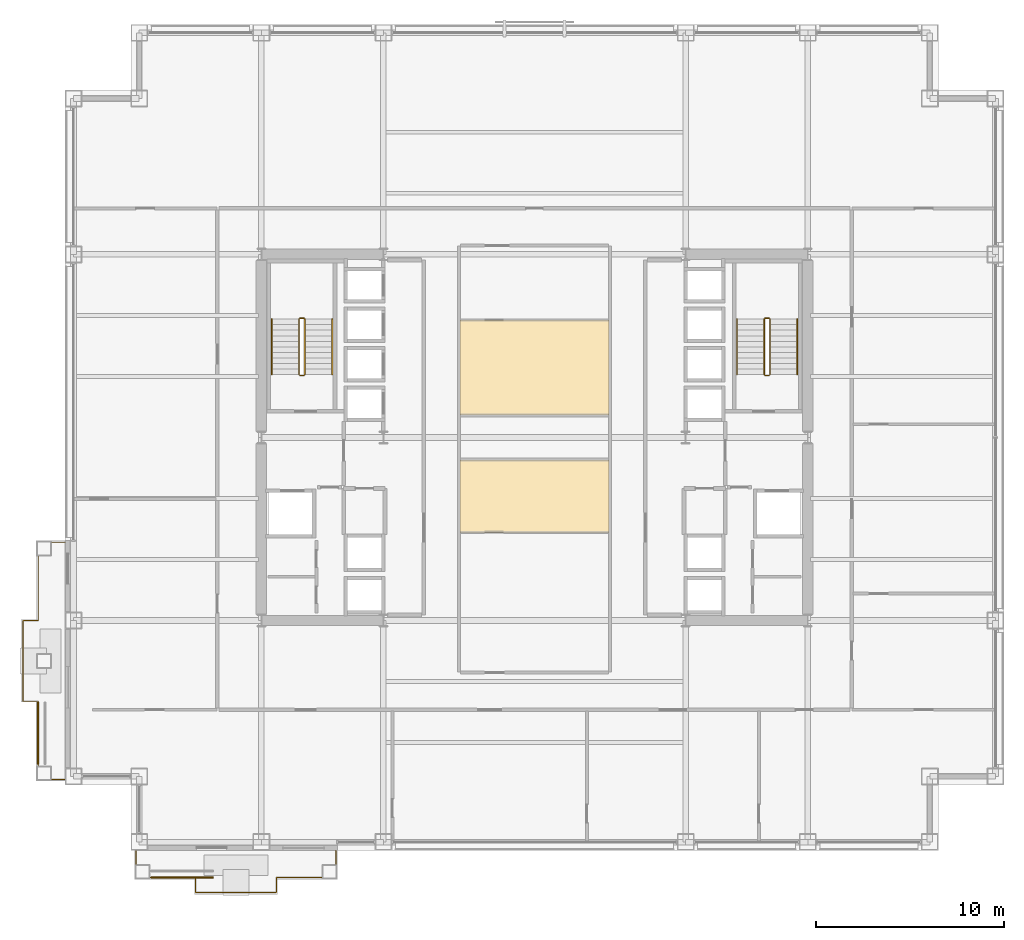
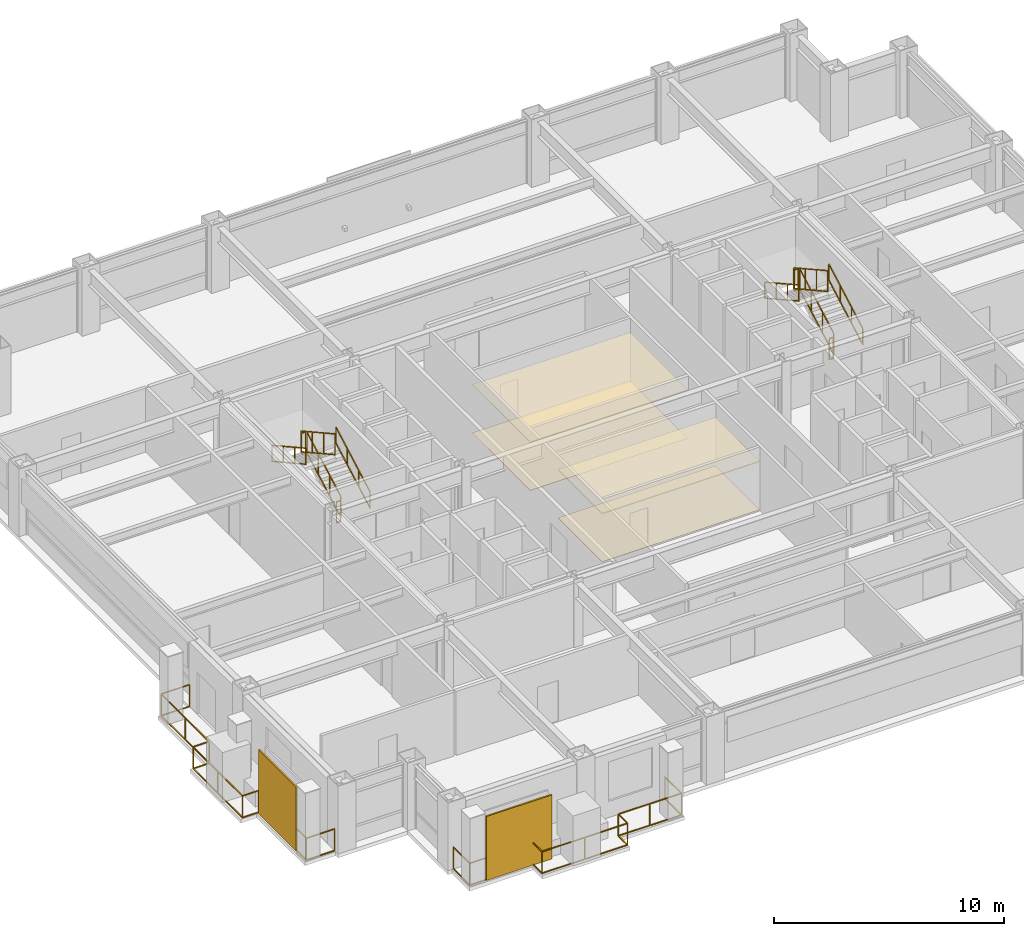
# One storey, part 27 of 29: 14 railings, 4 coverings, 2 shading devices.
"""IFC4 building model written with IfcOpenShell, lengths in metres."""

from ifc_helpers import new_model, si_unit, direction, frame, origin, origin_2d, place, context, subcontext, project, spatial, polyline, rectangle, outline, extrude, material, layer, layer_set, type_object, element, save


model = new_model("IFC4")

# Units and contexts
model_context = context("Model", 3, precision=1e-05, world=origin(), true_north=direction((0.0, 1.0)))
body_context = subcontext(model_context, "Body", "Model", "MODEL_VIEW")
ifc_project = project(units=[si_unit("LENGTHUNIT", "METRE"), si_unit("AREAUNIT", "SQUARE_METRE"), si_unit("VOLUMEUNIT", "CUBIC_METRE"), si_unit("PLANEANGLEUNIT", "RADIAN"), si_unit("MASSUNIT", "GRAM", prefix="KILO")], contexts=[model_context])

# Site, building, storey
site_placement = place(None, origin())
site = spatial("IfcSite", under=ifc_project, at=site_placement, CompositionType="ELEMENT")
building_placement = place(site_placement, origin())
building = spatial("IfcBuilding", under=site, at=building_placement, Name="Brelmoor Portico Tower", CompositionType="ELEMENT")
storey_placement = place(building_placement, frame((0.0, 0.0, 63.60009765625)))
storey = spatial("IfcBuildingStorey", under=building, at=storey_placement, Name="L16", CompositionType="ELEMENT", Elevation=63.60009765625)

# Coverings
ifc_material_1 = material(Name="Powder-Coated Aluminium Acoustic Baffle Ceiling", Category="aluminium")
ifc_layer_1 = layer(ifc_material_1, 0.044921875)
ifc_layer_set_1 = layer_set([ifc_layer_1], Name="Powder-Coated Aluminium Acoustic Baffle Ceiling")
covering_type_1 = type_object("IfcCoveringType", Name="CV-CEIL-BAFFLE-45", PredefinedType="CEILING", material=ifc_layer_set_1)
covering_1_placement = place(storey_placement, frame((0.0, 0.0, 2.5498046875)))
element("IfcCovering", 1, at=covering_1_placement, inside=storey, type_object=covering_type_1, Name="L16 Acoustic Suspended Ceiling 01", PredefinedType="CEILING", context=body_context, shape_type="SweptSolid", body=[
    extrude(outline(polyline([(-3.9599609375, 1.199951171875), (-3.9599609375, 6.260009765625), (3.9599609375, 6.260009765625), (3.9599609375, 1.199951171875), (-3.9599609375, 1.199951171875)])), origin(), (0.0, 0.0, 1.0), 0.045166015625),
])
ifc_material_2 = material(Name="Slatted FSC Oak Acoustic Feature Ceiling", Category="timber")
ifc_layer_2 = layer(ifc_material_2, 0.052001953125)
ifc_layer_set_2 = layer_set([ifc_layer_2], Name="Slatted FSC Oak Acoustic Feature Ceiling")
covering_type_2 = type_object("IfcCoveringType", Name="CV-CEIL-TIMBER-52", PredefinedType="CEILING", material=ifc_layer_set_2)
covering_2_placement = place(storey_placement, frame((0.0, 0.0, 2.5498046875)))
element("IfcCovering", 2, at=covering_2_placement, inside=storey, type_object=covering_type_2, Name="L16 Acoustic Suspended Ceiling 02", PredefinedType="CEILING", context=body_context, shape_type="SweptSolid", body=[
    extrude(outline(polyline([(-3.9599609375, -5.06005859375), (-3.9599609375, -1.199951171875), (3.9599609375, -1.199951171875), (3.9599609375, -5.06005859375), (-3.9599609375, -5.06005859375)])), origin(), (0.0, 0.0, 1.0), 0.052001953125),
])
ifc_material_3 = material(Name="Rectified Vitrified Porcelain Floor Tile", Category="ceramic")
ifc_layer_3 = layer(ifc_material_3, 0.01806640625)
ifc_layer_set_3 = layer_set([ifc_layer_3], Name="Rectified Vitrified Porcelain Floor Tile")
covering_type_3 = type_object("IfcCoveringType", Name="CV-FLR-PORCELAIN-18", PredefinedType="FLOORING", material=ifc_layer_set_3)
covering_3_placement = place(storey_placement, origin())
element("IfcCovering", 3, at=covering_3_placement, inside=storey, type_object=covering_type_3, Name="L16 Architectural Floor Finish 01", PredefinedType="FLOORING", context=body_context, shape_type="SweptSolid", body=[
    extrude(outline(polyline([(-3.9599609375, 1.199951171875), (-3.9599609375, 6.260009765625), (3.9599609375, 6.260009765625), (3.9599609375, 1.199951171875), (-3.9599609375, 1.199951171875)])), origin(), (0.0, 0.0, 1.0), 0.017822265625),
])
ifc_material_4 = material(Name="Engineered Quarter-Sawn Oak Parquet Flooring", Category="timber")
ifc_layer_4 = layer(ifc_material_4, 0.02197265625)
ifc_layer_set_4 = layer_set([ifc_layer_4], Name="Engineered Quarter-Sawn Oak Parquet Flooring")
covering_type_4 = type_object("IfcCoveringType", Name="CV-FLR-TIMBER-22", PredefinedType="FLOORING", material=ifc_layer_set_4)
covering_4_placement = place(storey_placement, origin())
element("IfcCovering", 4, at=covering_4_placement, inside=storey, type_object=covering_type_4, Name="L16 Architectural Floor Finish 02", PredefinedType="FLOORING", context=body_context, shape_type="SweptSolid", body=[
    extrude(outline(polyline([(-3.9599609375, -5.06005859375), (-3.9599609375, -1.199951171875), (3.9599609375, -1.199951171875), (3.9599609375, -5.06005859375), (-3.9599609375, -5.06005859375)])), origin(), (0.0, 0.0, 1.0), 0.02197265625),
])

# Railings
ifc_material_5 = material(Name="Perforated Pale Champagne Aluminium Fretwork Guard", Category="aluminium")
railing_type_1 = type_object("IfcRailingType", Name="RL-BALUSTRADE-1200", PredefinedType="BALUSTRADE", material=ifc_material_5)
railing_1_placement = place(storey_placement, frame((-21.219970703125, -22.0, 0.0)))
element("IfcRailing", 5, at=railing_1_placement, inside=storey, type_object=railing_type_1, Name="L16 Tree Balcony Fretwork Balustrade S", PredefinedType="BALUSTRADE", context=body_context, shape_type="SweptSolid", body=[
    extrude(rectangle(XDim=0.048095703125, YDim=0.048095703125, at=origin_2d()), frame((0.0, 0.0, 1.17578125), z_axis=(0.0, -1.0, 0.0), x_axis=(1.0, 0.0, 0.0)), (0.0, 0.0, 1.0), 1.429931640625),
    extrude(rectangle(XDim=0.048095703125, YDim=0.048095703125, at=origin_2d()), frame((0.0, 0.0, 0.02392578125), z_axis=(0.0, -1.0, 0.0), x_axis=(1.0, 0.0, 0.0)), (0.0, 0.0, 1.0), 1.429931640625),
    extrude(rectangle(XDim=0.048095703125, YDim=0.048095703125, at=origin_2d()), frame((0.0, -1.429931640625, 1.17578125), z_axis=(1.0, 0.0, 0.0), x_axis=(0.0, 1.0, 0.0)), (0.0, 0.0, 1.0), 3.169921875),
    extrude(rectangle(XDim=0.048095703125, YDim=0.048095703125, at=origin_2d()), frame((0.0, -1.429931640625, 0.02392578125), z_axis=(1.0, 0.0, 0.0), x_axis=(0.0, 1.0, 0.0)), (0.0, 0.0, 1.0), 3.169921875),
    extrude(rectangle(XDim=0.048095703125, YDim=0.048095703125, at=origin_2d()), frame((3.169921875, -1.429931640625, 1.17578125), z_axis=(0.0, -1.0, 0.0), x_axis=(1.0, 0.0, 0.0)), (0.0, 0.0, 1.0), 0.800048828125),
    extrude(rectangle(XDim=0.048095703125, YDim=0.048095703125, at=origin_2d()), frame((3.169921875, -1.429931640625, 0.02392578125), z_axis=(0.0, -1.0, 0.0), x_axis=(1.0, 0.0, 0.0)), (0.0, 0.0, 1.0), 0.800048828125),
    extrude(rectangle(XDim=0.048095703125, YDim=0.048095703125, at=origin_2d()), frame((3.169921875, -2.22998046875, 1.17578125), z_axis=(1.0, 0.0, 0.0), x_axis=(0.0, 1.0, 0.0)), (0.0, 0.0, 1.0), 4.300048828125),
    extrude(rectangle(XDim=0.048095703125, YDim=0.048095703125, at=origin_2d()), frame((3.169921875, -2.22998046875, 0.02392578125), z_axis=(1.0, 0.0, 0.0), x_axis=(0.0, 1.0, 0.0)), (0.0, 0.0, 1.0), 4.300048828125),
    extrude(rectangle(XDim=0.048095703125, YDim=0.048095703125, at=origin_2d()), frame((7.469970703125, -2.22998046875, 1.17578125), z_axis=(0.0, 1.0, 0.0), x_axis=(-1.0, 0.0, 0.0)), (0.0, 0.0, 1.0), 0.800048828125),
    extrude(rectangle(XDim=0.048095703125, YDim=0.048095703125, at=origin_2d()), frame((7.469970703125, -2.22998046875, 0.02392578125), z_axis=(0.0, 1.0, 0.0), x_axis=(-1.0, 0.0, 0.0)), (0.0, 0.0, 1.0), 0.800048828125),
    extrude(rectangle(XDim=0.048095703125, YDim=0.048095703125, at=origin_2d()), frame((7.469970703125, -1.429931640625, 1.17578125), z_axis=(1.0, 0.0, 0.0), x_axis=(0.0, 1.0, 0.0)), (0.0, 0.0, 1.0), 3.169921875),
    extrude(rectangle(XDim=0.048095703125, YDim=0.048095703125, at=origin_2d()), frame((7.469970703125, -1.429931640625, 0.02392578125), z_axis=(1.0, 0.0, 0.0), x_axis=(0.0, 1.0, 0.0)), (0.0, 0.0, 1.0), 3.169921875),
    extrude(rectangle(XDim=0.048095703125, YDim=0.048095703125, at=origin_2d()), frame((10.639892578125, -1.429931640625, 1.17578125), z_axis=(0.0, 1.0, 0.0), x_axis=(-1.0, 0.0, 0.0)), (0.0, 0.0, 1.0), 1.429931640625),
    extrude(rectangle(XDim=0.048095703125, YDim=0.048095703125, at=origin_2d()), frame((10.639892578125, -1.429931640625, 0.02392578125), z_axis=(0.0, 1.0, 0.0), x_axis=(-1.0, 0.0, 0.0)), (0.0, 0.0, 1.0), 1.429931640625),
    extrude(rectangle(XDim=0.0419921875, YDim=0.0419921875, at=origin_2d()), origin(), (0.0, 0.0, 1.0), 1.15185546875),
    extrude(rectangle(XDim=0.0419921875, YDim=0.0419921875, at=origin_2d()), frame((0.0, -1.429931640625, 0.0)), (0.0, 0.0, 1.0), 1.15185546875),
    extrude(rectangle(XDim=0.0419921875, YDim=0.0419921875, at=origin_2d()), frame((1.5849609375, -1.429931640625, 0.0)), (0.0, 0.0, 1.0), 1.15185546875),
    extrude(rectangle(XDim=0.0419921875, YDim=0.0419921875, at=origin_2d()), frame((3.169921875, -1.429931640625, 0.0)), (0.0, 0.0, 1.0), 1.15185546875),
    extrude(rectangle(XDim=0.0419921875, YDim=0.0419921875, at=origin_2d()), frame((3.169921875, -2.22998046875, 0.0)), (0.0, 0.0, 1.0), 1.15185546875),
    extrude(rectangle(XDim=0.0419921875, YDim=0.0419921875, at=origin_2d()), frame((5.31982421875, -2.22998046875, 0.0)), (0.0, 0.0, 1.0), 1.15185546875),
    extrude(rectangle(XDim=0.0419921875, YDim=0.0419921875, at=origin_2d()), frame((7.469970703125, -2.22998046875, 0.0)), (0.0, 0.0, 1.0), 1.15185546875),
    extrude(rectangle(XDim=0.0419921875, YDim=0.0419921875, at=origin_2d()), frame((7.469970703125, -1.429931640625, 0.0)), (0.0, 0.0, 1.0), 1.15185546875),
    extrude(rectangle(XDim=0.0419921875, YDim=0.0419921875, at=origin_2d()), frame((9.054931640625, -1.429931640625, 0.0)), (0.0, 0.0, 1.0), 1.15185546875),
    extrude(rectangle(XDim=0.0419921875, YDim=0.0419921875, at=origin_2d()), frame((10.639892578125, -1.429931640625, 0.0)), (0.0, 0.0, 1.0), 1.15185546875),
    extrude(rectangle(XDim=0.0419921875, YDim=0.0419921875, at=origin_2d()), frame((10.639892578125, 0.0, 0.0)), (0.0, 0.0, 1.0), 1.15185546875),
])
railing_2_placement = place(storey_placement, frame((-25.0, -18.219970703125, 0.0)))
element("IfcRailing", 6, at=railing_2_placement, inside=storey, type_object=railing_type_1, Name="L16 Tree Balcony Fretwork Balustrade W", PredefinedType="BALUSTRADE", context=body_context, shape_type="SweptSolid", body=[
    extrude(rectangle(XDim=0.048095703125, YDim=0.048095703125, at=origin_2d()), frame((0.0, 0.0, 1.17578125), z_axis=(-1.0, 0.0, 0.0), x_axis=(0.0, -1.0, 0.0)), (0.0, 0.0, 1.0), 1.429931640625),
    extrude(rectangle(XDim=0.048095703125, YDim=0.048095703125, at=origin_2d()), frame((0.0, 0.0, 0.02392578125), z_axis=(-1.0, 0.0, 0.0), x_axis=(0.0, -1.0, 0.0)), (0.0, 0.0, 1.0), 1.429931640625),
    extrude(rectangle(XDim=0.048095703125, YDim=0.048095703125, at=origin_2d()), frame((-1.429931640625, 0.0, 1.17578125), z_axis=(0.0, 1.0, 0.0), x_axis=(-1.0, 0.0, 0.0)), (0.0, 0.0, 1.0), 4.169921875),
    extrude(rectangle(XDim=0.048095703125, YDim=0.048095703125, at=origin_2d()), frame((-1.429931640625, 0.0, 0.02392578125), z_axis=(0.0, 1.0, 0.0), x_axis=(-1.0, 0.0, 0.0)), (0.0, 0.0, 1.0), 4.169921875),
    extrude(rectangle(XDim=0.048095703125, YDim=0.048095703125, at=origin_2d()), frame((-1.429931640625, 4.169921875, 1.17578125), z_axis=(-1.0, 0.0, 0.0), x_axis=(0.0, -1.0, 0.0)), (0.0, 0.0, 1.0), 0.800048828125),
    extrude(rectangle(XDim=0.048095703125, YDim=0.048095703125, at=origin_2d()), frame((-1.429931640625, 4.169921875, 0.02392578125), z_axis=(-1.0, 0.0, 0.0), x_axis=(0.0, -1.0, 0.0)), (0.0, 0.0, 1.0), 0.800048828125),
    extrude(rectangle(XDim=0.048095703125, YDim=0.048095703125, at=origin_2d()), frame((-2.22998046875, 4.169921875, 1.17578125), z_axis=(0.0, 1.0, 0.0), x_axis=(-1.0, 0.0, 0.0)), (0.0, 0.0, 1.0), 4.300048828125),
    extrude(rectangle(XDim=0.048095703125, YDim=0.048095703125, at=origin_2d()), frame((-2.22998046875, 4.169921875, 0.02392578125), z_axis=(0.0, 1.0, 0.0), x_axis=(-1.0, 0.0, 0.0)), (0.0, 0.0, 1.0), 4.300048828125),
    extrude(rectangle(XDim=0.048095703125, YDim=0.048095703125, at=origin_2d()), frame((-2.22998046875, 8.469970703125, 1.17578125), z_axis=(1.0, 0.0, 0.0), x_axis=(0.0, 1.0, 0.0)), (0.0, 0.0, 1.0), 0.800048828125),
    extrude(rectangle(XDim=0.048095703125, YDim=0.048095703125, at=origin_2d()), frame((-2.22998046875, 8.469970703125, 0.02392578125), z_axis=(1.0, 0.0, 0.0), x_axis=(0.0, 1.0, 0.0)), (0.0, 0.0, 1.0), 0.800048828125),
    extrude(rectangle(XDim=0.048095703125, YDim=0.048095703125, at=origin_2d()), frame((-1.429931640625, 8.469970703125, 1.17578125), z_axis=(0.0, 1.0, 0.0), x_axis=(-1.0, 0.0, 0.0)), (0.0, 0.0, 1.0), 4.169921875),
    extrude(rectangle(XDim=0.048095703125, YDim=0.048095703125, at=origin_2d()), frame((-1.429931640625, 8.469970703125, 0.02392578125), z_axis=(0.0, 1.0, 0.0), x_axis=(-1.0, 0.0, 0.0)), (0.0, 0.0, 1.0), 4.169921875),
    extrude(rectangle(XDim=0.048095703125, YDim=0.048095703125, at=origin_2d()), frame((-1.429931640625, 12.639892578125, 1.17578125), z_axis=(1.0, 0.0, 0.0), x_axis=(0.0, 1.0, 0.0)), (0.0, 0.0, 1.0), 1.429931640625),
    extrude(rectangle(XDim=0.048095703125, YDim=0.048095703125, at=origin_2d()), frame((-1.429931640625, 12.639892578125, 0.02392578125), z_axis=(1.0, 0.0, 0.0), x_axis=(0.0, 1.0, 0.0)), (0.0, 0.0, 1.0), 1.429931640625),
    extrude(rectangle(XDim=0.0419921875, YDim=0.0419921875, at=origin_2d()), origin(), (0.0, 0.0, 1.0), 1.15185546875),
    extrude(rectangle(XDim=0.0419921875, YDim=0.0419921875, at=origin_2d()), frame((-1.429931640625, 0.0, 0.0)), (0.0, 0.0, 1.0), 1.15185546875),
    extrude(rectangle(XDim=0.0419921875, YDim=0.0419921875, at=origin_2d()), frame((-1.429931640625, 2.0849609375, 0.0)), (0.0, 0.0, 1.0), 1.15185546875),
    extrude(rectangle(XDim=0.0419921875, YDim=0.0419921875, at=origin_2d()), frame((-1.429931640625, 4.169921875, 0.0)), (0.0, 0.0, 1.0), 1.15185546875),
    extrude(rectangle(XDim=0.0419921875, YDim=0.0419921875, at=origin_2d()), frame((-2.22998046875, 4.169921875, 0.0)), (0.0, 0.0, 1.0), 1.15185546875),
    extrude(rectangle(XDim=0.0419921875, YDim=0.0419921875, at=origin_2d()), frame((-2.22998046875, 6.31982421875, 0.0)), (0.0, 0.0, 1.0), 1.15185546875),
    extrude(rectangle(XDim=0.0419921875, YDim=0.0419921875, at=origin_2d()), frame((-2.22998046875, 8.469970703125, 0.0)), (0.0, 0.0, 1.0), 1.15185546875),
    extrude(rectangle(XDim=0.0419921875, YDim=0.0419921875, at=origin_2d()), frame((-1.429931640625, 8.469970703125, 0.0)), (0.0, 0.0, 1.0), 1.15185546875),
    extrude(rectangle(XDim=0.0419921875, YDim=0.0419921875, at=origin_2d()), frame((-1.429931640625, 10.554931640625, 0.0)), (0.0, 0.0, 1.0), 1.15185546875),
    extrude(rectangle(XDim=0.0419921875, YDim=0.0419921875, at=origin_2d()), frame((-1.429931640625, 12.639892578125, 0.0)), (0.0, 0.0, 1.0), 1.15185546875),
    extrude(rectangle(XDim=0.0419921875, YDim=0.0419921875, at=origin_2d()), frame((0.0, 12.639892578125, 0.0)), (0.0, 0.0, 1.0), 1.15185546875),
])
ifc_material_6 = material(Name="Painted Tubular Steel Q235B", Category="steel")
railing_type_2 = type_object("IfcRailingType", Name="RL-STAIR-GUARD", PredefinedType="GUARDRAIL", material=ifc_material_6)
railing_3_placement = place(storey_placement, frame((-12.239990234375, 3.35009765625, 0.16357421875)))
element("IfcRailing", 7, at=railing_3_placement, inside=storey, type_object=railing_type_2, Name="L16 ST-W stair guard 1", PredefinedType="GUARDRAIL", context=body_context, shape_type="SweptSolid", body=[
    extrude(rectangle(XDim=0.048095703125, YDim=0.048095703125, at=origin_2d()), frame((0.0, 0.0, 1.1259765625), z_axis=(0.0, 0.87448821551, 0.485046761595), x_axis=(-1.0, 0.0, 0.0)), (0.0, 0.0, 1.0), 3.373291015625),
    extrude(rectangle(XDim=0.048095703125, YDim=0.048095703125, at=origin_2d()), frame((0.0, 0.0, 0.02392578125), z_axis=(0.0, 0.87448821551, 0.485046761595), x_axis=(-1.0, 0.0, 0.0)), (0.0, 0.0, 1.0), 3.373291015625),
    extrude(rectangle(XDim=0.0419921875, YDim=0.0419921875, at=origin_2d()), origin(), (0.0, 0.0, 1.0), 1.101806640625),
    extrude(rectangle(XDim=0.0419921875, YDim=0.0419921875, at=origin_2d()), frame((0.0, 0.9833984375, 0.54541015625)), (0.0, 0.0, 1.0), 1.101806640625),
    extrude(rectangle(XDim=0.0419921875, YDim=0.0419921875, at=origin_2d()), frame((0.0, 1.966552734375, 1.0908203125)), (0.0, 0.0, 1.0), 1.101806640625),
    extrude(rectangle(XDim=0.0419921875, YDim=0.0419921875, at=origin_2d()), frame((0.0, 2.949951171875, 1.63623046875)), (0.0, 0.0, 1.0), 1.101806640625),
])
railing_4_placement = place(storey_placement, frame((-12.2900390625, 6.35009765625, 1.7998046875)))
element("IfcRailing", 8, at=railing_4_placement, inside=storey, type_object=railing_type_2, Name="L16 ST-W stair guard 2", PredefinedType="GUARDRAIL", context=body_context, shape_type="SweptSolid", body=[
    extrude(rectangle(XDim=0.048095703125, YDim=0.048095703125, at=origin_2d()), frame((0.0, 0.0, 1.1259765625), z_axis=(-1.0, 0.0, 0.0), x_axis=(0.0, -1.0, 0.0)), (0.0, 0.0, 1.0), 0.199951171875),
    extrude(rectangle(XDim=0.048095703125, YDim=0.048095703125, at=origin_2d()), frame((0.0, 0.0, 0.02392578125), z_axis=(-1.0, 0.0, 0.0), x_axis=(0.0, -1.0, 0.0)), (0.0, 0.0, 1.0), 0.199951171875),
    extrude(rectangle(XDim=0.0419921875, YDim=0.0419921875, at=origin_2d()), origin(), (0.0, 0.0, 1.0), 1.101806640625),
    extrude(rectangle(XDim=0.0419921875, YDim=0.0419921875, at=origin_2d()), frame((-0.199951171875, 0.0, 0.0)), (0.0, 0.0, 1.0), 1.101806640625),
])
railing_5_placement = place(storey_placement, frame((-12.5400390625, 6.300048828125, 1.963623046875)))
element("IfcRailing", 9, at=railing_5_placement, inside=storey, type_object=railing_type_2, Name="L16 ST-W stair guard 3", PredefinedType="GUARDRAIL", context=body_context, shape_type="SweptSolid", body=[
    extrude(rectangle(XDim=0.048095703125, YDim=0.048095703125, at=origin_2d()), frame((0.0, 0.0, 1.1259765625), z_axis=(0.0, -0.87448821551, 0.485046761595), x_axis=(1.0, 0.0, 0.0)), (0.0, 0.0, 1.0), 3.373291015625),
    extrude(rectangle(XDim=0.048095703125, YDim=0.048095703125, at=origin_2d()), frame((0.0, 0.0, 0.02392578125), z_axis=(0.0, -0.87448821551, 0.485046761595), x_axis=(1.0, 0.0, 0.0)), (0.0, 0.0, 1.0), 3.373291015625),
    extrude(rectangle(XDim=0.0419921875, YDim=0.0419921875, at=origin_2d()), origin(), (0.0, 0.0, 1.0), 1.101806640625),
    extrude(rectangle(XDim=0.0419921875, YDim=0.0419921875, at=origin_2d()), frame((0.0, -0.9833984375, 0.54541015625)), (0.0, 0.0, 1.0), 1.101806640625),
    extrude(rectangle(XDim=0.0419921875, YDim=0.0419921875, at=origin_2d()), frame((0.0, -1.966552734375, 1.0908203125)), (0.0, 0.0, 1.0), 1.101806640625),
    extrude(rectangle(XDim=0.0419921875, YDim=0.0419921875, at=origin_2d()), frame((0.0, -2.949951171875, 1.63623046875)), (0.0, 0.0, 1.0), 1.101806640625),
])
railing_6_placement = place(storey_placement, frame((-12.2900390625, 3.300048828125, 0.0)))
element("IfcRailing", 10, at=railing_6_placement, inside=storey, type_object=railing_type_2, Name="L16 ST-W stair guard 4", PredefinedType="GUARDRAIL", context=body_context, shape_type="SweptSolid", body=[
    extrude(rectangle(XDim=0.048095703125, YDim=0.048095703125, at=origin_2d()), frame((0.0, 0.0, 1.1259765625), z_axis=(-1.0, 0.0, 0.0), x_axis=(0.0, -1.0, 0.0)), (0.0, 0.0, 1.0), 0.199951171875),
    extrude(rectangle(XDim=0.048095703125, YDim=0.048095703125, at=origin_2d()), frame((0.0, 0.0, 0.02392578125), z_axis=(-1.0, 0.0, 0.0), x_axis=(0.0, -1.0, 0.0)), (0.0, 0.0, 1.0), 0.199951171875),
    extrude(rectangle(XDim=0.0419921875, YDim=0.0419921875, at=origin_2d()), origin(), (0.0, 0.0, 1.0), 1.101806640625),
    extrude(rectangle(XDim=0.0419921875, YDim=0.0419921875, at=origin_2d()), frame((-0.199951171875, 0.0, 0.0)), (0.0, 0.0, 1.0), 1.101806640625),
])
railing_7_placement = place(storey_placement, frame((12.5400390625, 3.35009765625, 0.16357421875)))
element("IfcRailing", 11, at=railing_7_placement, inside=storey, type_object=railing_type_2, Name="L16 ST-E stair guard 1", PredefinedType="GUARDRAIL", context=body_context, shape_type="SweptSolid", body=[
    extrude(rectangle(XDim=0.048095703125, YDim=0.048095703125, at=origin_2d()), frame((0.0, 0.0, 1.1259765625), z_axis=(0.0, 0.87448821551, 0.485046761595), x_axis=(-1.0, 0.0, 0.0)), (0.0, 0.0, 1.0), 3.373291015625),
    extrude(rectangle(XDim=0.048095703125, YDim=0.048095703125, at=origin_2d()), frame((0.0, 0.0, 0.02392578125), z_axis=(0.0, 0.87448821551, 0.485046761595), x_axis=(-1.0, 0.0, 0.0)), (0.0, 0.0, 1.0), 3.373291015625),
    extrude(rectangle(XDim=0.0419921875, YDim=0.0419921875, at=origin_2d()), origin(), (0.0, 0.0, 1.0), 1.101806640625),
    extrude(rectangle(XDim=0.0419921875, YDim=0.0419921875, at=origin_2d()), frame((0.0, 0.9833984375, 0.54541015625)), (0.0, 0.0, 1.0), 1.101806640625),
    extrude(rectangle(XDim=0.0419921875, YDim=0.0419921875, at=origin_2d()), frame((0.0, 1.966552734375, 1.0908203125)), (0.0, 0.0, 1.0), 1.101806640625),
    extrude(rectangle(XDim=0.0419921875, YDim=0.0419921875, at=origin_2d()), frame((0.0, 2.949951171875, 1.63623046875)), (0.0, 0.0, 1.0), 1.101806640625),
])
railing_8_placement = place(storey_placement, frame((12.489990234375, 6.35009765625, 1.7998046875)))
element("IfcRailing", 12, at=railing_8_placement, inside=storey, type_object=railing_type_2, Name="L16 ST-E stair guard 2", PredefinedType="GUARDRAIL", context=body_context, shape_type="SweptSolid", body=[
    extrude(rectangle(XDim=0.048095703125, YDim=0.048095703125, at=origin_2d()), frame((0.0, 0.0, 1.1259765625), z_axis=(-1.0, 0.0, 0.0), x_axis=(0.0, -1.0, 0.0)), (0.0, 0.0, 1.0), 0.199951171875),
    extrude(rectangle(XDim=0.048095703125, YDim=0.048095703125, at=origin_2d()), frame((0.0, 0.0, 0.02392578125), z_axis=(-1.0, 0.0, 0.0), x_axis=(0.0, -1.0, 0.0)), (0.0, 0.0, 1.0), 0.199951171875),
    extrude(rectangle(XDim=0.0419921875, YDim=0.0419921875, at=origin_2d()), origin(), (0.0, 0.0, 1.0), 1.101806640625),
    extrude(rectangle(XDim=0.0419921875, YDim=0.0419921875, at=origin_2d()), frame((-0.199951171875, 0.0, 0.0)), (0.0, 0.0, 1.0), 1.101806640625),
])
railing_9_placement = place(storey_placement, frame((12.239990234375, 6.300048828125, 1.963623046875)))
element("IfcRailing", 13, at=railing_9_placement, inside=storey, type_object=railing_type_2, Name="L16 ST-E stair guard 3", PredefinedType="GUARDRAIL", context=body_context, shape_type="SweptSolid", body=[
    extrude(rectangle(XDim=0.048095703125, YDim=0.048095703125, at=origin_2d()), frame((0.0, 0.0, 1.1259765625), z_axis=(0.0, -0.87448821551, 0.485046761595), x_axis=(1.0, 0.0, 0.0)), (0.0, 0.0, 1.0), 3.373291015625),
    extrude(rectangle(XDim=0.048095703125, YDim=0.048095703125, at=origin_2d()), frame((0.0, 0.0, 0.02392578125), z_axis=(0.0, -0.87448821551, 0.485046761595), x_axis=(1.0, 0.0, 0.0)), (0.0, 0.0, 1.0), 3.373291015625),
    extrude(rectangle(XDim=0.0419921875, YDim=0.0419921875, at=origin_2d()), origin(), (0.0, 0.0, 1.0), 1.101806640625),
    extrude(rectangle(XDim=0.0419921875, YDim=0.0419921875, at=origin_2d()), frame((0.0, -0.9833984375, 0.54541015625)), (0.0, 0.0, 1.0), 1.101806640625),
    extrude(rectangle(XDim=0.0419921875, YDim=0.0419921875, at=origin_2d()), frame((0.0, -1.966552734375, 1.0908203125)), (0.0, 0.0, 1.0), 1.101806640625),
    extrude(rectangle(XDim=0.0419921875, YDim=0.0419921875, at=origin_2d()), frame((0.0, -2.949951171875, 1.63623046875)), (0.0, 0.0, 1.0), 1.101806640625),
])
railing_10_placement = place(storey_placement, frame((12.489990234375, 3.300048828125, 0.0)))
element("IfcRailing", 14, at=railing_10_placement, inside=storey, type_object=railing_type_2, Name="L16 ST-E stair guard 4", PredefinedType="GUARDRAIL", context=body_context, shape_type="SweptSolid", body=[
    extrude(rectangle(XDim=0.048095703125, YDim=0.048095703125, at=origin_2d()), frame((0.0, 0.0, 1.1259765625), z_axis=(-1.0, 0.0, 0.0), x_axis=(0.0, -1.0, 0.0)), (0.0, 0.0, 1.0), 0.199951171875),
    extrude(rectangle(XDim=0.048095703125, YDim=0.048095703125, at=origin_2d()), frame((0.0, 0.0, 0.02392578125), z_axis=(-1.0, 0.0, 0.0), x_axis=(0.0, -1.0, 0.0)), (0.0, 0.0, 1.0), 0.199951171875),
    extrude(rectangle(XDim=0.0419921875, YDim=0.0419921875, at=origin_2d()), origin(), (0.0, 0.0, 1.0), 1.101806640625),
    extrude(rectangle(XDim=0.0419921875, YDim=0.0419921875, at=origin_2d()), frame((-0.199951171875, 0.0, 0.0)), (0.0, 0.0, 1.0), 1.101806640625),
])
ifc_material_7 = material(Name="Brushed Stainless Steel 304", Category="steel")
railing_type_3 = type_object("IfcRailingType", Name="RL-STAIR-HANDRAIL", PredefinedType="HANDRAIL", material=ifc_material_7)
railing_11_placement = place(storey_placement, frame((-10.780029296875, 3.35009765625, 0.16357421875)))
element("IfcRailing", 15, at=railing_11_placement, inside=storey, type_object=railing_type_3, Name="L16 ST-W stair handrail 1", PredefinedType="HANDRAIL", context=body_context, shape_type="SweptSolid", body=[
    extrude(rectangle(XDim=0.048095703125, YDim=0.048095703125, at=origin_2d()), frame((0.0, 0.0, 0.8759765625), z_axis=(0.0, 0.87448821551, 0.485046761595), x_axis=(-1.0, 0.0, 0.0)), (0.0, 0.0, 1.0), 3.373291015625),
    extrude(rectangle(XDim=0.048095703125, YDim=0.048095703125, at=origin_2d()), frame((0.0, 0.0, 0.02392578125), z_axis=(0.0, 0.87448821551, 0.485046761595), x_axis=(-1.0, 0.0, 0.0)), (0.0, 0.0, 1.0), 3.373291015625),
    extrude(rectangle(XDim=0.0419921875, YDim=0.0419921875, at=origin_2d()), origin(), (0.0, 0.0, 1.0), 0.851806640625),
    extrude(rectangle(XDim=0.0419921875, YDim=0.0419921875, at=origin_2d()), frame((0.0, 0.9833984375, 0.54541015625)), (0.0, 0.0, 1.0), 0.851806640625),
    extrude(rectangle(XDim=0.0419921875, YDim=0.0419921875, at=origin_2d()), frame((0.0, 1.966552734375, 1.0908203125)), (0.0, 0.0, 1.0), 0.851806640625),
    extrude(rectangle(XDim=0.0419921875, YDim=0.0419921875, at=origin_2d()), frame((0.0, 2.949951171875, 1.63623046875)), (0.0, 0.0, 1.0), 0.851806640625),
])
railing_12_placement = place(storey_placement, frame((-14.0, 6.300048828125, 1.963623046875)))
element("IfcRailing", 16, at=railing_12_placement, inside=storey, type_object=railing_type_3, Name="L16 ST-W stair handrail 2", PredefinedType="HANDRAIL", context=body_context, shape_type="SweptSolid", body=[
    extrude(rectangle(XDim=0.048095703125, YDim=0.048095703125, at=origin_2d()), frame((0.0, 0.0, 0.8759765625), z_axis=(0.0, -0.87448821551, 0.485046761595), x_axis=(1.0, 0.0, 0.0)), (0.0, 0.0, 1.0), 3.373291015625),
    extrude(rectangle(XDim=0.048095703125, YDim=0.048095703125, at=origin_2d()), frame((0.0, 0.0, 0.02392578125), z_axis=(0.0, -0.87448821551, 0.485046761595), x_axis=(1.0, 0.0, 0.0)), (0.0, 0.0, 1.0), 3.373291015625),
    extrude(rectangle(XDim=0.0419921875, YDim=0.0419921875, at=origin_2d()), origin(), (0.0, 0.0, 1.0), 0.851806640625),
    extrude(rectangle(XDim=0.0419921875, YDim=0.0419921875, at=origin_2d()), frame((0.0, -0.9833984375, 0.54541015625)), (0.0, 0.0, 1.0), 0.851806640625),
    extrude(rectangle(XDim=0.0419921875, YDim=0.0419921875, at=origin_2d()), frame((0.0, -1.966552734375, 1.0908203125)), (0.0, 0.0, 1.0), 0.851806640625),
    extrude(rectangle(XDim=0.0419921875, YDim=0.0419921875, at=origin_2d()), frame((0.0, -2.949951171875, 1.63623046875)), (0.0, 0.0, 1.0), 0.851806640625),
])
railing_13_placement = place(storey_placement, frame((14.0, 3.35009765625, 0.16357421875)))
element("IfcRailing", 17, at=railing_13_placement, inside=storey, type_object=railing_type_3, Name="L16 ST-E stair handrail 1", PredefinedType="HANDRAIL", context=body_context, shape_type="SweptSolid", body=[
    extrude(rectangle(XDim=0.048095703125, YDim=0.048095703125, at=origin_2d()), frame((0.0, 0.0, 0.8759765625), z_axis=(0.0, 0.87448821551, 0.485046761595), x_axis=(-1.0, 0.0, 0.0)), (0.0, 0.0, 1.0), 3.373291015625),
    extrude(rectangle(XDim=0.048095703125, YDim=0.048095703125, at=origin_2d()), frame((0.0, 0.0, 0.02392578125), z_axis=(0.0, 0.87448821551, 0.485046761595), x_axis=(-1.0, 0.0, 0.0)), (0.0, 0.0, 1.0), 3.373291015625),
    extrude(rectangle(XDim=0.0419921875, YDim=0.0419921875, at=origin_2d()), origin(), (0.0, 0.0, 1.0), 0.851806640625),
    extrude(rectangle(XDim=0.0419921875, YDim=0.0419921875, at=origin_2d()), frame((0.0, 0.9833984375, 0.54541015625)), (0.0, 0.0, 1.0), 0.851806640625),
    extrude(rectangle(XDim=0.0419921875, YDim=0.0419921875, at=origin_2d()), frame((0.0, 1.966552734375, 1.0908203125)), (0.0, 0.0, 1.0), 0.851806640625),
    extrude(rectangle(XDim=0.0419921875, YDim=0.0419921875, at=origin_2d()), frame((0.0, 2.949951171875, 1.63623046875)), (0.0, 0.0, 1.0), 0.851806640625),
])
railing_14_placement = place(storey_placement, frame((10.780029296875, 6.300048828125, 1.963623046875)))
element("IfcRailing", 18, at=railing_14_placement, inside=storey, type_object=railing_type_3, Name="L16 ST-E stair handrail 2", PredefinedType="HANDRAIL", context=body_context, shape_type="SweptSolid", body=[
    extrude(rectangle(XDim=0.048095703125, YDim=0.048095703125, at=origin_2d()), frame((0.0, 0.0, 0.8759765625), z_axis=(0.0, -0.87448821551, 0.485046761595), x_axis=(1.0, 0.0, 0.0)), (0.0, 0.0, 1.0), 3.373291015625),
    extrude(rectangle(XDim=0.048095703125, YDim=0.048095703125, at=origin_2d()), frame((0.0, 0.0, 0.02392578125), z_axis=(0.0, -0.87448821551, 0.485046761595), x_axis=(1.0, 0.0, 0.0)), (0.0, 0.0, 1.0), 3.373291015625),
    extrude(rectangle(XDim=0.0419921875, YDim=0.0419921875, at=origin_2d()), origin(), (0.0, 0.0, 1.0), 0.851806640625),
    extrude(rectangle(XDim=0.0419921875, YDim=0.0419921875, at=origin_2d()), frame((0.0, -0.9833984375, 0.54541015625)), (0.0, 0.0, 1.0), 0.851806640625),
    extrude(rectangle(XDim=0.0419921875, YDim=0.0419921875, at=origin_2d()), frame((0.0, -1.966552734375, 1.0908203125)), (0.0, 0.0, 1.0), 0.851806640625),
    extrude(rectangle(XDim=0.0419921875, YDim=0.0419921875, at=origin_2d()), frame((0.0, -2.949951171875, 1.63623046875)), (0.0, 0.0, 1.0), 0.851806640625),
])

# Shading devices
ifc_material_8 = material(Name="Powder-Coated Aluminium Shuttered Jalousie", Category="aluminium")
ifc_layer_5 = layer(ifc_material_8, 0.080078125)
ifc_layer_set_5 = layer_set([ifc_layer_5], Name="Powder-Coated Aluminium Shuttered Jalousie")
shading_device_type = type_object("IfcShadingDeviceType", Name="SD-JALOUSIE-LOGGIA", PredefinedType="JALOUSIE", material=ifc_layer_set_5)
for number, where, z_axis, x_axis, name in (
    (19, (-18.75, -23.429931640625, 0.0), (0.0, 0.0, 1.0), (1.0, 0.0, 0.0), "L16 Loggia Shuttered Jalousie S"),
    (20, (-26.429931640625, -15.75, 0.0), (0.0, 0.0, 1.0), (0.0, 1.0, 0.0), "L16 Loggia Shuttered Jalousie W"),
):
    element("IfcShadingDevice", number, at=place(storey_placement, frame(where, z_axis=z_axis, x_axis=x_axis)), inside=storey, type_object=shading_device_type, Name=name, PredefinedType="JALOUSIE", context=body_context, shape_type="SweptSolid", body=[
        extrude(rectangle(XDim=3.300048828125, YDim=0.080078125, at=origin_2d()), origin(), (0.0, 0.0, 1.0), 3.39990234375),
    ])

save(model, "model.ifc")
